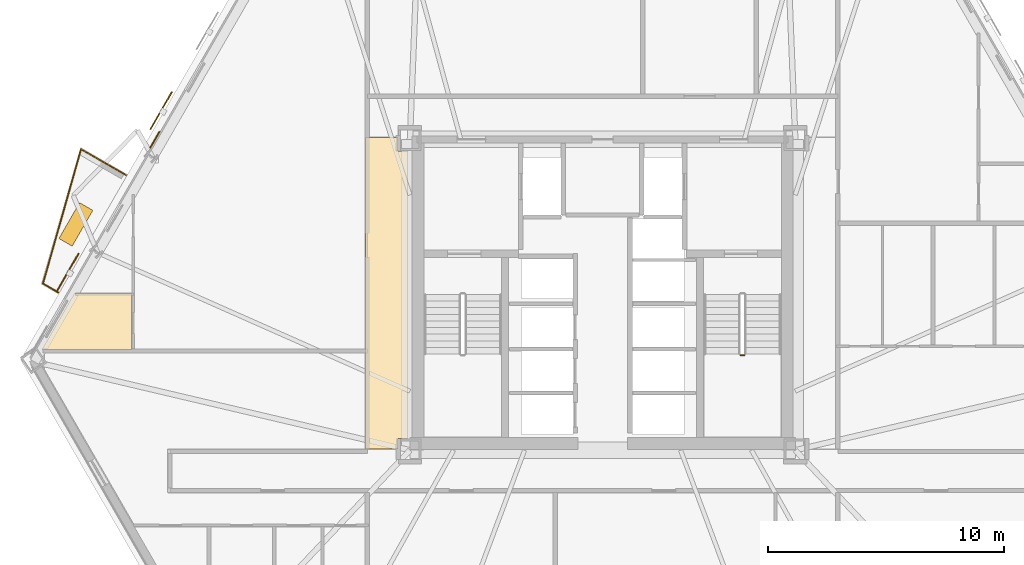
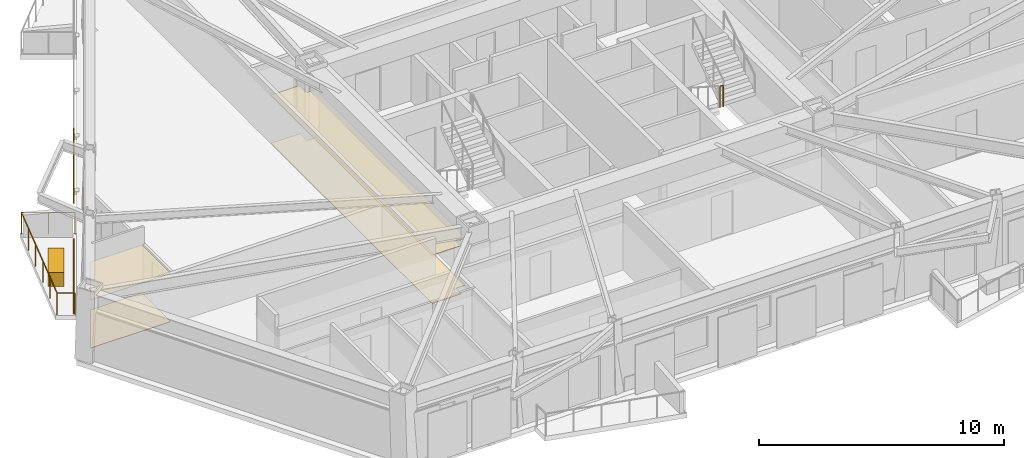
# One storey, part 10 of 12: 6 coverings, 4 railings, 2 shading devices.
"""IFC4 building model written with IfcOpenShell, lengths in metres."""

from ifc_helpers import new_model, si_unit, direction, frame, origin, origin_2d, place, context, subcontext, project, spatial, polyline, rectangle, circle, outline, extrude, material, layer, layer_set, type_object, element, save


model = new_model("IFC4")

# Units and contexts
model_context = context("Model", 3, precision=1e-05, world=origin(), true_north=direction((0.0, 1.0)))
body_context = subcontext(model_context, "Body", "Model", "MODEL_VIEW")
ifc_project = project(units=[si_unit("LENGTHUNIT", "METRE"), si_unit("AREAUNIT", "SQUARE_METRE"), si_unit("VOLUMEUNIT", "CUBIC_METRE"), si_unit("PLANEANGLEUNIT", "RADIAN"), si_unit("MASSUNIT", "GRAM", prefix="KILO")], contexts=[model_context])

# Site, building, storey
site_placement = place(None, origin())
site = spatial("IfcSite", under=ifc_project, at=site_placement, CompositionType="ELEMENT")
building_placement = place(site_placement, origin())
building = spatial("IfcBuilding", under=site, at=building_placement, Name="Oramaril Tower", CompositionType="ELEMENT")
storey_placement = place(building_placement, frame((0.0, 0.0, 45.300048828125)))
storey = spatial("IfcBuildingStorey", under=building, at=storey_placement, Name="L11", CompositionType="ELEMENT", Elevation=45.300048828125)

# Coverings
ifc_material_1 = material(Name="Mineral Fibre Acoustic Ceiling")
ifc_layer_1 = layer(ifc_material_1, 0.02001953125)
ifc_layer_set_1 = layer_set([ifc_layer_1], Name="CVT-CEIL")
covering_type_1 = type_object("IfcCoveringType", Name="CVT-CEIL", PredefinedType="CEILING", material=ifc_layer_set_1)
covering_1_placement = place(storey_placement, frame((0.0, 0.0, 2.39990234375)))
element("IfcCovering", 1, at=covering_1_placement, inside=storey, type_object=covering_type_1, Name="L11 Acoustic Suspended Ceiling 3", PredefinedType="CEILING", context=body_context, shape_type="SweptSolid", body=[
    extrude(outline(polyline([(28.85498046875, 23.655029296875), (29.280029296875, 23.655029296875), (29.280029296875, 11.4951171875), (28.85498046875, 11.4951171875), (28.85498046875, 11.050048828125), (27.469970703125, 11.050048828125), (27.469970703125, 24.219970703125), (28.85498046875, 24.219970703125), (28.85498046875, 23.655029296875)])), origin(), (0.0, 0.0, 1.0), 0.02001953125),
])
covering_2_placement = place(storey_placement, frame((0.0, 0.0, 2.39990234375)))
element("IfcCovering", 2, at=covering_2_placement, inside=storey, type_object=covering_type_1, Name="L11 Acoustic Suspended Ceiling 16", PredefinedType="CEILING", context=body_context, shape_type="SweptSolid", body=[
    extrude(outline(polyline([(13.78271484375, 15.2490234375), (15.156982421875, 17.62890625), (17.590087890625, 17.62890625), (17.590087890625, 15.261962890625), (13.89892578125, 15.261962890625), (13.89697265625, 15.261962890625), (13.89501953125, 15.26171875), (13.893310546875, 15.260986328125), (13.891357421875, 15.260498046875), (13.8896484375, 15.259521484375), (13.887939453125, 15.258544921875), (13.88623046875, 15.257568359375), (13.885009765625, 15.256103515625), (13.883544921875, 15.254638671875), (13.88232421875, 15.253173828125), (13.88134765625, 15.25146484375), (13.880615234375, 15.249755859375), (13.88037109375, 15.2490234375), (13.78271484375, 15.2490234375)])), origin(), (0.0, 0.0, 1.0), 0.02001953125),
])
ifc_material_2 = material(Name="Warm Cream Limestone", Category="masonry")
ifc_layer_2 = layer(ifc_material_2, 0.050048828125)
ifc_layer_set_2 = layer_set([ifc_layer_2], Name="CVT-CLD")
covering_type_2 = type_object("IfcCoveringType", Name="CVT-CLD", PredefinedType="CLADDING", material=ifc_layer_set_2)
covering_3_placement = place(storey_placement, frame((18.562744140625, 24.1298828125, 0.0400390625), z_axis=(0.0, 0.0, 1.0), x_axis=(-0.500001511499, -0.866024531118, 0.0)))
element("IfcCovering", 3, at=covering_3_placement, inside=storey, type_object=covering_type_2, Name="L11 Warm Cream Limestone Spandrel Cladding", PredefinedType="CLADDING", context=body_context, shape_type="SweptSolid", body=[
    extrude(rectangle(XDim=0.800048828125, YDim=0.050048828125, at=origin_2d()), origin(), (0.0, 0.0, 1.0), 0.679931640625),
])
covering_4_placement = place(storey_placement, frame((15.222412109375, 20.5517578125, 0.0), z_axis=(0.0, 0.0, 1.0), x_axis=(-0.500001511499, -0.866024531118, 0.0)))
element("IfcCovering", 4, at=covering_4_placement, inside=storey, type_object=covering_type_2, Name="L11 Structural Tree Planter Box L11-BAL-NW2", PredefinedType="CLADDING", context=body_context, shape_type="SweptSolid", body=[
    extrude(rectangle(XDim=1.75, YDim=0.64990234375, at=origin_2d()), origin(), (0.0, 0.0, 1.0), 0.699951171875),
])
ifc_material_3 = material(Name="Honed Quartzite Stone Flooring", Category="masonry")
ifc_layer_3 = layer(ifc_material_3, 0.02490234375)
ifc_layer_set_3 = layer_set([ifc_layer_3], Name="CVT-FLR")
covering_type_3 = type_object("IfcCoveringType", Name="CVT-FLR", PredefinedType="FLOORING", material=ifc_layer_set_3)
covering_5_placement = place(storey_placement, origin())
element("IfcCovering", 5, at=covering_5_placement, inside=storey, type_object=covering_type_3, Name="L11 Honed Stone Floor Finish 3", PredefinedType="FLOORING", context=body_context, shape_type="SweptSolid", body=[
    extrude(outline(polyline([(28.85498046875, 23.655029296875), (29.280029296875, 23.655029296875), (29.280029296875, 11.4951171875), (28.85498046875, 11.4951171875), (28.85498046875, 11.050048828125), (27.469970703125, 11.050048828125), (27.469970703125, 24.219970703125), (28.85498046875, 24.219970703125), (28.85498046875, 23.655029296875)])), origin(), (0.0, 0.0, 1.0), 0.02490234375),
])
covering_6_placement = place(storey_placement, origin())
element("IfcCovering", 6, at=covering_6_placement, inside=storey, type_object=covering_type_3, Name="L11 Honed Stone Floor Finish 16", PredefinedType="FLOORING", context=body_context, shape_type="SweptSolid", body=[
    extrude(outline(polyline([(13.78271484375, 15.2490234375), (15.156982421875, 17.62890625), (17.590087890625, 17.62890625), (17.590087890625, 15.261962890625), (13.89892578125, 15.261962890625), (13.89697265625, 15.261962890625), (13.89501953125, 15.26171875), (13.893310546875, 15.260986328125), (13.891357421875, 15.260498046875), (13.8896484375, 15.259521484375), (13.887939453125, 15.258544921875), (13.88623046875, 15.257568359375), (13.885009765625, 15.256103515625), (13.883544921875, 15.254638671875), (13.88232421875, 15.253173828125), (13.88134765625, 15.25146484375), (13.880615234375, 15.249755859375), (13.88037109375, 15.2490234375), (13.78271484375, 15.2490234375)])), origin(), (0.0, 0.0, 1.0), 0.02490234375),
])

# Railings
ifc_material_4 = material(Name="Stainless Steel 316L", Category="steel")
railing_type = type_object("IfcRailingType", Name="RLT-GRD", PredefinedType="GUARDRAIL", material=ifc_material_4)
railing_1_placement = place(storey_placement, frame((14.472900390625, 17.67626953125, 0.0)))
element("IfcRailing", 7, at=railing_1_placement, inside=storey, type_object=railing_type, Name="L11 Balcony Guardrail L11-BAL-NW2.1", PredefinedType="GUARDRAIL", context=body_context, shape_type="SweptSolid", body=[
    extrude(circle(Radius=0.02392578125, at=origin_2d()), frame((0.0, 0.0, 1.076171875), z_axis=(-0.865966403178, 0.500102178127, 0.0), x_axis=(-0.500102178127, -0.865966403178, 0.0)), (0.0, 0.0, 1.0), 0.741943359375),
    extrude(circle(Radius=0.02099609375, at=origin_2d()), origin(), (0.0, 0.0, 1.0), 1.052001953125),
    extrude(circle(Radius=0.02099609375, at=origin_2d()), frame((-0.642578125, 0.37109375, 0.0)), (0.0, 0.0, 1.0), 1.052001953125),
])
railing_2_placement = place(storey_placement, frame((13.830322265625, 18.04736328125, 0.0)))
element("IfcRailing", 8, at=railing_2_placement, inside=storey, type_object=railing_type, Name="L11 Balcony Guardrail L11-BAL-NW2.2", PredefinedType="GUARDRAIL", context=body_context, shape_type="SweptSolid", body=[
    extrude(circle(Radius=0.02392578125, at=origin_2d()), frame((0.0, 0.0, 1.076171875), z_axis=(0.27224886544, 0.962226873074, 0.0), x_axis=(-0.962226873074, 0.27224886544, 0.0)), (0.0, 0.0, 1.0), 5.910400390625),
    extrude(circle(Radius=0.02099609375, at=origin_2d()), origin(), (0.0, 0.0, 1.0), 1.052001953125),
    extrude(circle(Radius=0.02099609375, at=origin_2d()), frame((0.32177734375, 1.137451171875, 0.0)), (0.0, 0.0, 1.0), 1.052001953125),
    extrude(circle(Radius=0.02099609375, at=origin_2d()), frame((0.6435546875, 2.27490234375, 0.0)), (0.0, 0.0, 1.0), 1.052001953125),
    extrude(circle(Radius=0.02099609375, at=origin_2d()), frame((0.965576171875, 3.412353515625, 0.0)), (0.0, 0.0, 1.0), 1.052001953125),
    extrude(circle(Radius=0.02099609375, at=origin_2d()), frame((1.287353515625, 4.5498046875, 0.0)), (0.0, 0.0, 1.0), 1.052001953125),
    extrude(circle(Radius=0.02099609375, at=origin_2d()), frame((1.609130859375, 5.687255859375, 0.0)), (0.0, 0.0, 1.0), 1.052001953125),
])
railing_3_placement = place(storey_placement, frame((15.439453125, 23.734619140625, 0.0)))
element("IfcRailing", 9, at=railing_3_placement, inside=storey, type_object=railing_type, Name="L11 Balcony Guardrail L11-BAL-NW2.3", PredefinedType="GUARDRAIL", context=body_context, shape_type="SweptSolid", body=[
    extrude(circle(Radius=0.02392578125, at=origin_2d()), frame((0.0, 0.0, 1.076171875), z_axis=(0.866000118559, -0.500043792738, 0.0), x_axis=(0.500043792738, 0.866000118559, 0.0)), (0.0, 0.0, 1.0), 2.192138671875),
    extrude(circle(Radius=0.02099609375, at=origin_2d()), origin(), (0.0, 0.0, 1.0), 1.052001953125),
    extrude(circle(Radius=0.02099609375, at=origin_2d()), frame((0.94921875, -0.548095703125, 0.0)), (0.0, 0.0, 1.0), 1.052001953125),
    extrude(circle(Radius=0.02099609375, at=origin_2d()), frame((1.8984375, -1.09619140625, 0.0)), (0.0, 0.0, 1.0), 1.052001953125),
])
railing_4_placement = place(storey_placement, frame((43.340087890625, 15.02001953125, 1.800048828125)))
element("IfcRailing", 10, at=railing_4_placement, inside=storey, type_object=railing_type, Name="L11 ST-2 stair guard 2", PredefinedType="GUARDRAIL", context=body_context, shape_type="SweptSolid", body=[
    extrude(circle(Radius=0.02392578125, at=origin_2d()), frame((0.0, 0.0, 1.076171875), z_axis=(1.0, 0.0, 0.0), x_axis=(0.0, 1.0, 0.0)), (0.0, 0.0, 1.0), 0.14990234375),
    extrude(circle(Radius=0.02099609375, at=origin_2d()), origin(), (0.0, 0.0, 1.0), 1.052001953125),
    extrude(circle(Radius=0.02099609375, at=origin_2d()), frame((0.14990234375, 0.0, 0.0)), (0.0, 0.0, 1.0), 1.052001953125),
])

# Shading devices
for number, where, z_axis, x_axis, name in (
    (11, (18.829833984375, 25.36669921875, -0.02001953125), (0.0, 0.0, 1.0), (-0.500001511499, -0.866024531118, 0.0), "L11 Perforated Ceramic Solar Screen"),
    (12, (14.885498046875, 18.534912109375, -0.02001953125), (0.0, 0.0, 1.0), (-0.500001511499, -0.866024531118, 0.0), "L11 Perforated Ceramic Solar Screen"),
):
    element("IfcShadingDevice", number, at=place(storey_placement, frame(where, z_axis=z_axis, x_axis=x_axis)), inside=storey, Name=name, ObjectType="SCREEN", PredefinedType="USERDEFINED", context=body_context, shape_type="SweptSolid", body=[
        extrude(rectangle(XDim=1.8330078125, YDim=0.050048828125, at=origin_2d()), origin(), (0.0, 0.0, 1.0), 2.493896484375),
    ])

save(model, "model.ifc")
